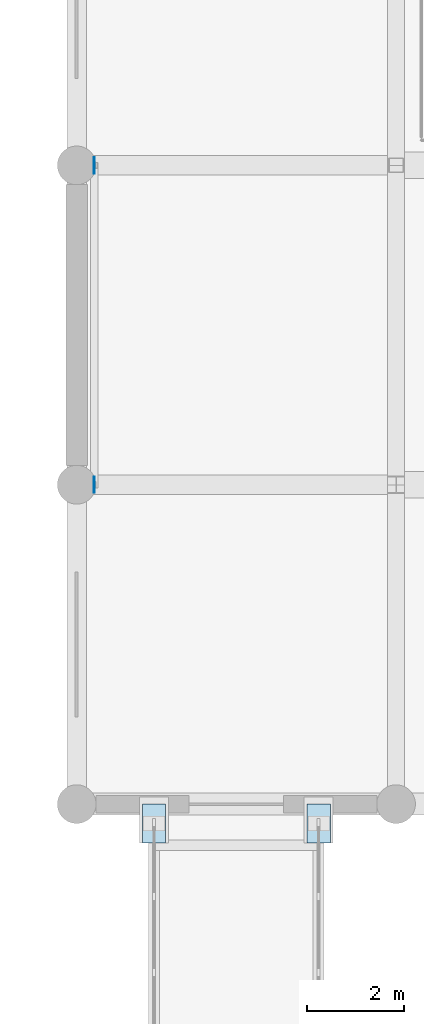
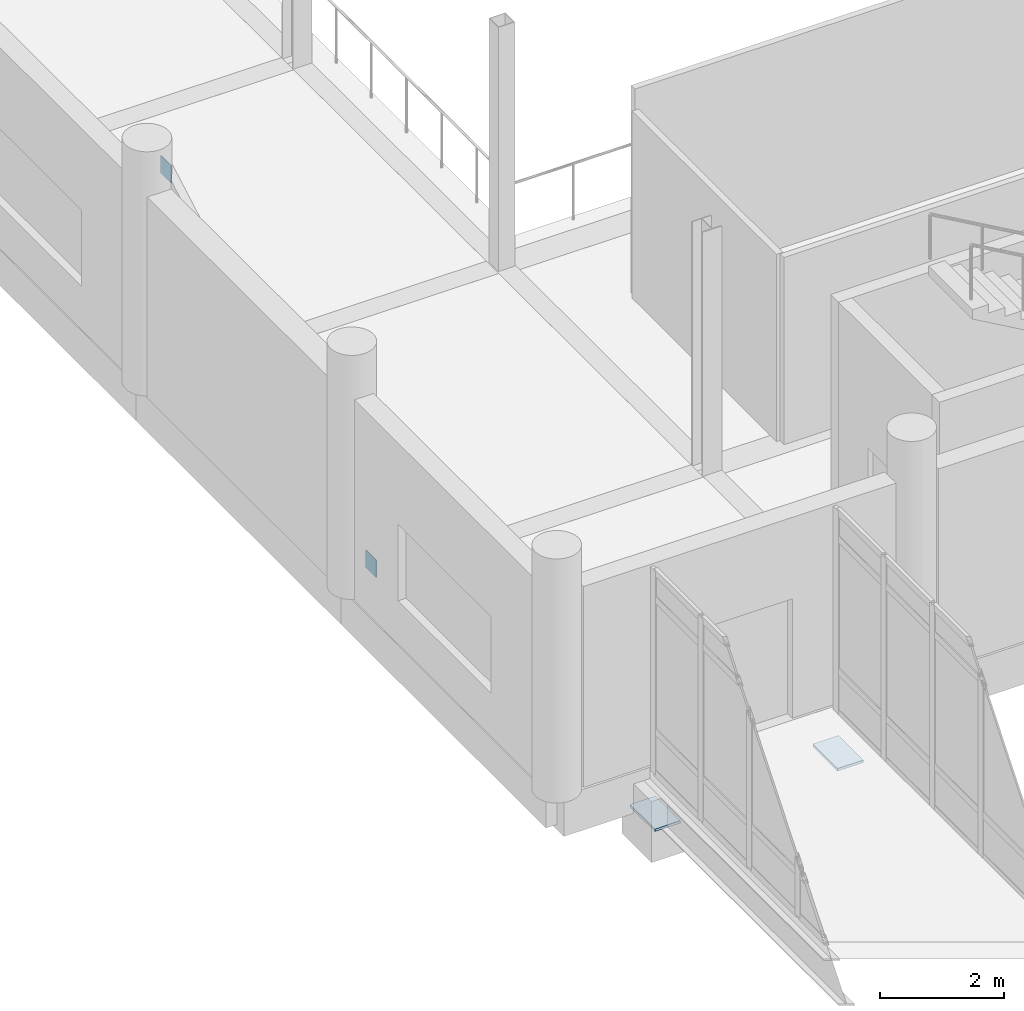
# One storey, part 60 of 101: 4 plates.
"""IFC4 building model written with IfcOpenShell, lengths in metres."""

from ifc_helpers import new_model, si_unit, direction, frame, origin, origin_2d, place, context, subcontext, project, spatial, rectangle, extrude, material, layer, layer_set, type_object, element, save


model = new_model("IFC4")

# Units and contexts
model_context = context("Model", 3, precision=1e-05, world=origin(), true_north=direction((0.0, 1.0)))
body_context = subcontext(model_context, "Body", "Model", "MODEL_VIEW")
ifc_project = project(units=[si_unit("LENGTHUNIT", "METRE"), si_unit("AREAUNIT", "SQUARE_METRE"), si_unit("VOLUMEUNIT", "CUBIC_METRE"), si_unit("PLANEANGLEUNIT", "RADIAN"), si_unit("MASSUNIT", "GRAM", prefix="KILO")], contexts=[model_context])

# Site, building, storey
site_placement = place(None, origin())
site = spatial("IfcSite", under=ifc_project, at=site_placement, CompositionType="ELEMENT")
building_placement = place(site_placement, origin())
building = spatial("IfcBuilding", under=site, at=building_placement, Name="Dornvale Research Institute", CompositionType="ELEMENT")
storey_placement = place(building_placement, frame((0.0, 0.0, 10.199951171875)))
storey = spatial("IfcBuildingStorey", under=building, at=storey_placement, Name="L02", CompositionType="ELEMENT", Elevation=10.199951171875)

# Plates
ifc_material_1 = material(Name="Steel ASTM A572 Grade 50", Category="steel")
ifc_layer_1 = layer(ifc_material_1, 0.050048828125)
ifc_layer_set_1 = layer_set([ifc_layer_1], Name="Steel ASTM A572 Grade 50")
plate_type_1 = type_object("IfcPlateType", Name="SheetPlate_Bearing_50", PredefinedType="SHEET", material=ifc_layer_set_1)
for number, where, z_axis, x_axis, name in (
    (1, (41.199951171875, 39.199951171875, -0.83203125), (0.0, 0.0, 1.0), (1.0, 0.0, 0.0), "Bridge 800mm sliding seat sole plate ND-03"),
    (2, (44.60009765625, 39.199951171875, -0.83203125), (0.0, 0.0, 1.0), (1.0, 0.0, 0.0), "Bridge 800mm sliding seat sole plate ND-04"),
):
    element("IfcPlate", number, at=place(storey_placement, frame(where, z_axis=z_axis, x_axis=x_axis)), inside=storey, type_object=plate_type_1, Name=name, PredefinedType="SHEET", context=body_context, shape_type="SweptSolid", body=[
        extrude(rectangle(XDim=0.47998046875, YDim=0.800048828125, at=origin_2d()), origin(), (0.0, 0.0, 1.0), 0.050048828125),
    ])
ifc_material_2 = material(Name="Steel ASTM A572 Grade 50", Category="steel")
ifc_layer_2 = layer(ifc_material_2, 0.01611328125)
ifc_layer_set_2 = layer_set([ifc_layer_2], Name="Steel ASTM A572 Grade 50")
plate_type_2 = type_object("IfcPlateType", Name="SheetPlate_Gusset_16", PredefinedType="SHEET", material=ifc_layer_set_2)
for number, where, z_axis, x_axis, name in (
    (3, (39.9599609375, 46.199951171875, 0.1298828125), (0.0, 0.0, 1.0), (0.0, 1.0, 0.0), "HSS brace node gusset and cap plate ND-065"),
    (4, (39.9599609375, 52.800048828125, 3.8798828125), (0.0, 0.0, 1.0), (0.0, 1.0, 0.0), "HSS brace node gusset and cap plate ND-066"),
):
    element("IfcPlate", number, at=place(storey_placement, frame(where, z_axis=z_axis, x_axis=x_axis)), inside=storey, type_object=plate_type_2, Name=name, PredefinedType="SHEET", context=body_context, shape_type="SweptSolid", body=[
        extrude(rectangle(XDim=0.340087890625, YDim=0.01611328125, at=origin_2d()), origin(), (0.0, 0.0, 1.0), 0.340087890625),
    ])

save(model, "model.ifc")
